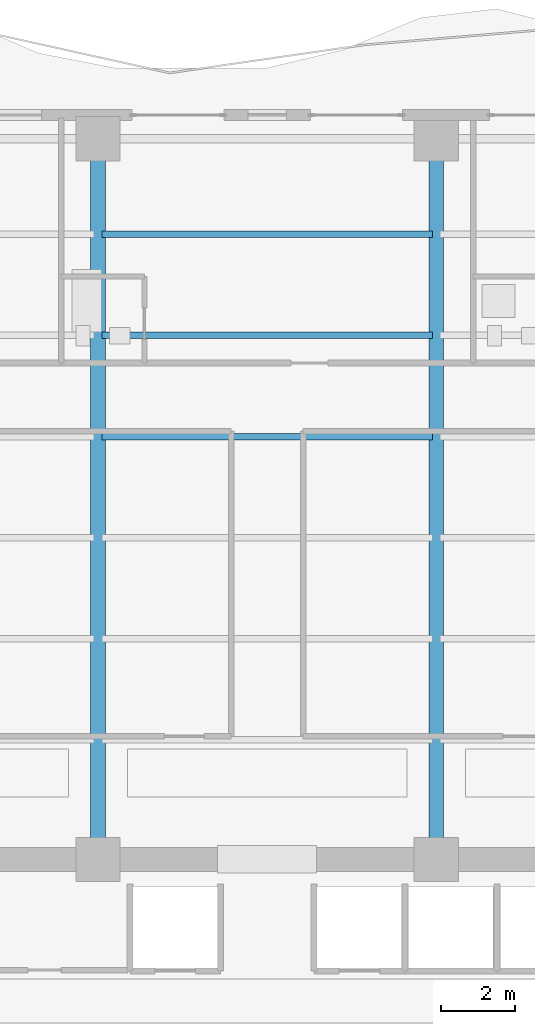
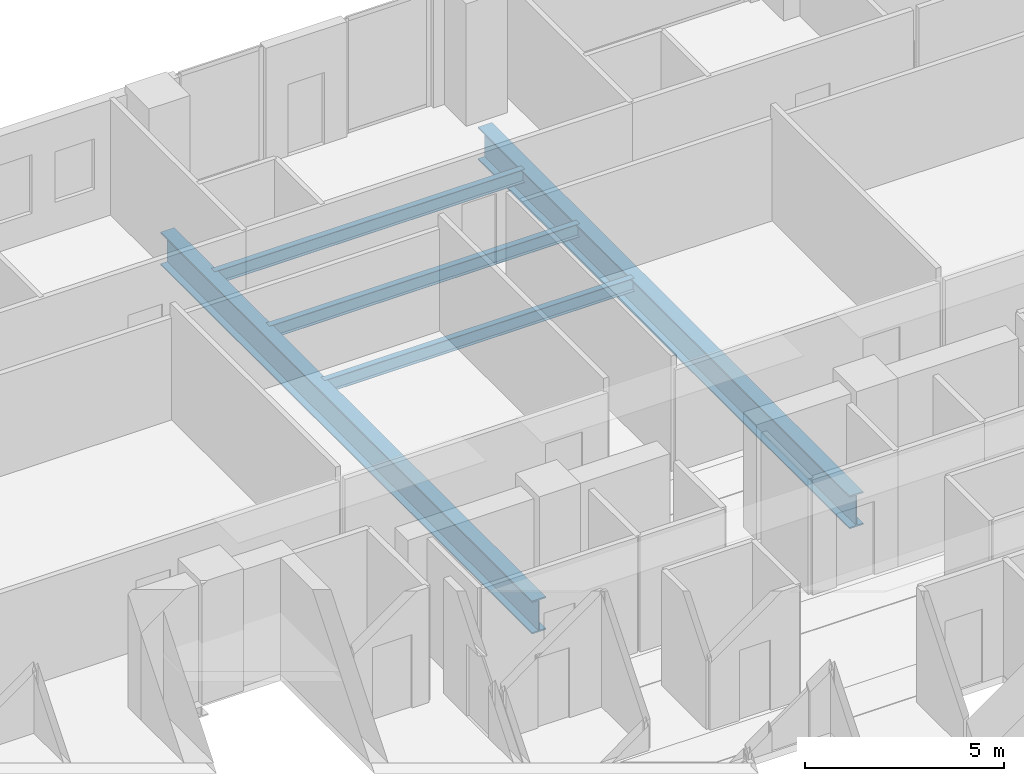
# One storey, part 18 of 32: 5 beams.
"""IFC4 building model written with IfcOpenShell, lengths in metres."""

from ifc_helpers import new_model, si_unit, direction, frame, origin, origin_2d, place, context, subcontext, project, spatial, i_section, extrude, material, material_profile, profile_set, type_object, element, save


model = new_model("IFC4")

# Units and contexts
model_context = context("Model", 3, precision=1e-05, world=origin(), true_north=direction((0.0, 1.0)))
body_context = subcontext(model_context, "Body", "Model", "MODEL_VIEW")
ifc_project = project(units=[si_unit("LENGTHUNIT", "METRE"), si_unit("AREAUNIT", "SQUARE_METRE"), si_unit("VOLUMEUNIT", "CUBIC_METRE"), si_unit("PLANEANGLEUNIT", "RADIAN"), si_unit("MASSUNIT", "GRAM", prefix="KILO")], contexts=[model_context])

# Site, building, storey
site_placement = place(None, origin())
site = spatial("IfcSite", under=ifc_project, at=site_placement, CompositionType="ELEMENT")
building_placement = place(site_placement, origin())
building = spatial("IfcBuilding", under=site, at=building_placement, Name="Zuhayl Quay Hotel", CompositionType="ELEMENT")
storey_placement = place(building_placement, frame((0.0, 0.0, 196.14990234375)))
storey = spatial("IfcBuildingStorey", under=building, at=storey_placement, Name="L49", CompositionType="ELEMENT", Elevation=196.14990234375)

# Beams
ifc_material = material(Name="Steel ASTM A992 Grade 50", Category="steel")
ifc_material_profile_1 = material_profile(ifc_material, i_section(OverallWidth=0.177978515625, OverallDepth=0.406005859375, WebThickness=0.0078125, FlangeThickness=0.0126953125, at=origin_2d()), Name="W16X40")
ifc_profile_set_1 = profile_set([ifc_material_profile_1], Name="Steel ASTM A992 Grade 50")
beam_type_1 = type_object("IfcBeamType", Name="BM_J2B_W16X40", PredefinedType="JOIST", material=ifc_profile_set_1)
for number, where, z_axis, x_axis, name in (
    (1, (-4.493896484375, 24.85009765625, -0.4228515625), (1.0, 0.0, 0.0), (0.0, 1.0, 0.0), "L49 Floor Beam FJ_L49_4_2"),
    (2, (-4.493896484375, 27.60009765625, -0.4228515625), (1.0, 0.0, 0.0), (0.0, 1.0, 0.0), "L49 Floor Beam FJ_L49_5_2"),
    (3, (-4.493896484375, 30.35009765625, -0.4228515625), (1.0, 0.0, 0.0), (0.0, 1.0, 0.0), "L49 Floor Beam FJ_L49_6_2"),
):
    element("IfcBeam", number, at=place(storey_placement, frame(where, z_axis=z_axis, x_axis=x_axis)), inside=storey, type_object=beam_type_1, Name=name, PredefinedType="JOIST", context=body_context, shape_type="SweptSolid", body=[
        extrude(i_section(OverallWidth=0.177978515625, OverallDepth=0.406005859375, WebThickness=0.0078125, FlangeThickness=0.0126953125, at=origin_2d()), origin(), (0.0, 0.0, 1.0), 8.98779296875),
    ])
ifc_material_profile_2 = material_profile(ifc_material, i_section(OverallWidth=0.40087890625, OverallDepth=1.010986328125, WebThickness=0.023681640625, FlangeThickness=0.0419921875, at=origin_2d()), Name="W40X297")
ifc_profile_set_2 = profile_set([ifc_material_profile_2], Name="Steel ASTM A992 Grade 50")
beam_type_2 = type_object("IfcBeamType", Name="BM_TG2_W40X297", PredefinedType="BEAM", material=ifc_profile_set_2)
for number, where, z_axis, x_axis, name in (
    (4, (-4.60009765625, 13.800048828125, -0.725341796875), (0.0, 1.0, 0.0), (-1.0, 0.0, 0.0), "L49 Floor Beam FG_N_L49_2"),
    (5, (4.60009765625, 13.800048828125, -0.725341796875), (0.0, 1.0, 0.0), (-1.0, 0.0, 0.0), "L49 Floor Beam FG_N_L49_3"),
):
    element("IfcBeam", number, at=place(storey_placement, frame(where, z_axis=z_axis, x_axis=x_axis)), inside=storey, type_object=beam_type_2, Name=name, PredefinedType="BEAM", context=body_context, shape_type="SweptSolid", body=[
        extrude(i_section(OverallWidth=0.40087890625, OverallDepth=1.010986328125, WebThickness=0.023681640625, FlangeThickness=0.0419921875, at=origin_2d()), origin(), (0.0, 0.0, 1.0), 18.64990234375),
    ])

save(model, "model.ifc")
